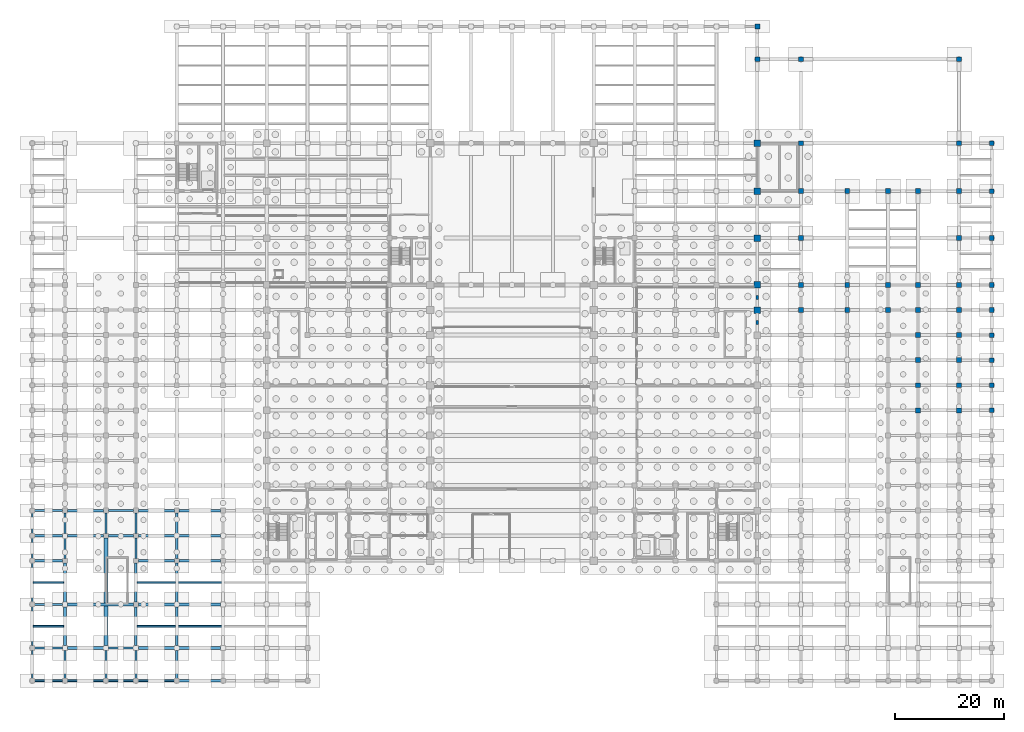
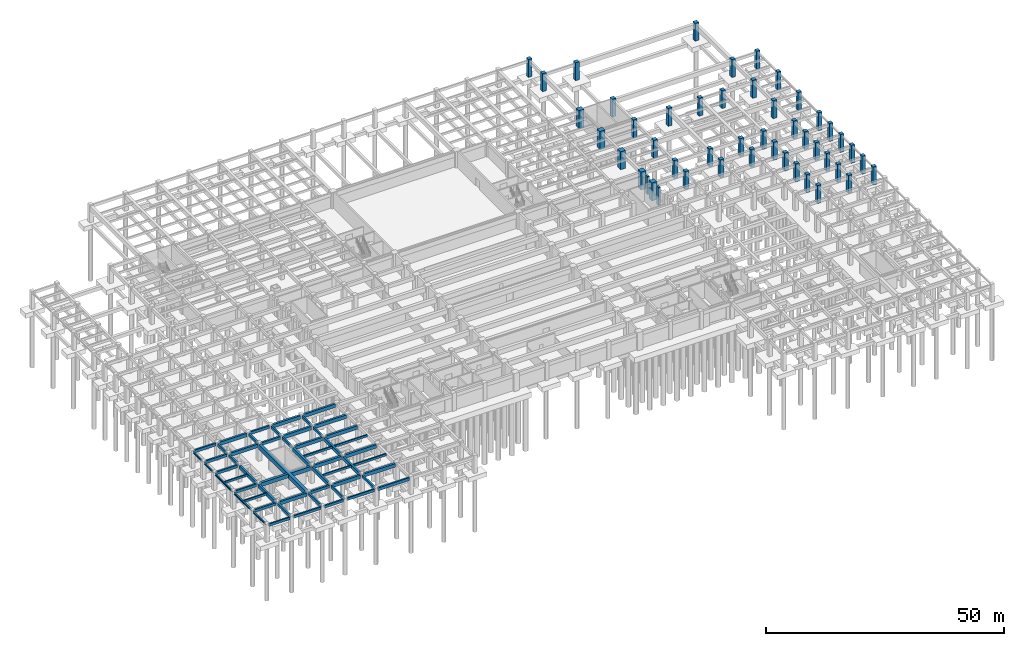
# One storey, part 12 of 32: 56 beams, 47 columns.
"""IFC4 building model written with IfcOpenShell, lengths in metres."""

from ifc_helpers import new_model, si_unit, direction, frame, origin, origin_2d, place, context, subcontext, project, spatial, rectangle, i_section, extrude, material, material_profile, profile_set, type_object, element, save


model = new_model("IFC4")

# Units and contexts
model_context = context("Model", 3, precision=1e-05, world=origin(), true_north=direction((0.0, 1.0)))
body_context = subcontext(model_context, "Body", "Model", "MODEL_VIEW")
ifc_project = project(units=[si_unit("LENGTHUNIT", "METRE"), si_unit("AREAUNIT", "SQUARE_METRE"), si_unit("VOLUMEUNIT", "CUBIC_METRE"), si_unit("PLANEANGLEUNIT", "RADIAN"), si_unit("MASSUNIT", "GRAM", prefix="KILO")], contexts=[model_context])

# Site, building, storey
site_placement = place(None, origin())
site = spatial("IfcSite", under=ifc_project, at=site_placement, CompositionType="ELEMENT")
building_placement = place(site_placement, origin())
building = spatial("IfcBuilding", under=site, at=building_placement, Name="Muzn Square Opera House", CompositionType="ELEMENT")
storey_placement = place(building_placement, frame((0.0, 0.0, -4.199951171875)))
storey = spatial("IfcBuildingStorey", under=building, at=storey_placement, Name="B1", CompositionType="ELEMENT", Elevation=-4.199951171875)

# Columns
ifc_material_1 = material(Name="Concrete C45/55", Category="concrete")
ifc_material_profile_1 = material_profile(ifc_material_1, rectangle(XDim=0.5, YDim=0.800048828125, at=origin_2d()), Name="RC 500x800", Category="concrete")
ifc_profile_set_1 = profile_set([ifc_material_profile_1], Name="Concrete C45/55")
column_type_1 = type_object("IfcColumnType", Name="Facade Pilaster 500x800", PredefinedType="PILASTER", material=ifc_profile_set_1)
for number, where, z_axis, x_axis, name in (
    (1, (133.0, 65.699951171875, -0.420166015625), (0.0, 0.0, 1.0), (1.0, 0.0, 0.0), "Engaged Pilaster PIL-B1-PIL-5080-1330_657"),
    (2, (133.0, 70.300048828125, -0.420166015625), (0.0, 0.0, 1.0), (1.0, 0.0, 0.0), "Engaged Pilaster PIL-B1-PIL-5080-1330_703"),
):
    element("IfcColumn", number, at=place(storey_placement, frame(where, z_axis=z_axis, x_axis=x_axis)), inside=storey, type_object=column_type_1, Name=name, PredefinedType="PILASTER", context=body_context, shape_type="SweptSolid", body=[
        extrude(rectangle(XDim=0.5, YDim=0.800048828125, at=origin_2d()), origin(), (0.0, 0.0, 1.0), 4.6201171875),
    ])
ifc_material_profile_2 = material_profile(ifc_material_1, rectangle(XDim=1.199951171875, YDim=1.199951171875, at=origin_2d()), Name="RC 1200x1200", Category="concrete")
ifc_profile_set_2 = profile_set([ifc_material_profile_2], Name="Concrete C45/55")
column_type_2 = type_object("IfcColumnType", Name="Frame Column 1200x1200", PredefinedType="COLUMN", material=ifc_profile_set_2)
for number, where, z_axis, x_axis, name in (
    (3, (133.0, 68.0, -0.420166015625), (0.0, 0.0, 1.0), (1.0, 0.0, 0.0), "Column COL-B1-COL-1200-1330_680"),
    (4, (133.0, 72.60009765625, -0.420166015625), (0.0, 0.0, 1.0), (1.0, 0.0, 0.0), "Column COL-B1-COL-1200-1330_726"),
    (5, (133.0, 81.199951171875, -0.420166015625), (0.0, 0.0, 1.0), (1.0, 0.0, 0.0), "Column COL-B1-COL-1200-1330_812"),
    (6, (133.0, 89.800048828125, -0.420166015625), (0.0, 0.0, 1.0), (1.0, 0.0, 0.0), "Column COL-B1-COL-1200-1330_898"),
    (7, (133.0, 98.60009765625, -0.420166015625), (0.0, 0.0, 1.0), (1.0, 0.0, 0.0), "Column COL-B1-COL-1200-1330_986"),
):
    element("IfcColumn", number, at=place(storey_placement, frame(where, z_axis=z_axis, x_axis=x_axis)), inside=storey, type_object=column_type_2, Name=name, PredefinedType="COLUMN", context=body_context, shape_type="SweptSolid", body=[
        extrude(rectangle(XDim=1.199951171875, YDim=1.199951171875, at=origin_2d()), origin(), (0.0, 0.0, 1.0), 4.6201171875),
    ])
ifc_material_profile_3 = material_profile(ifc_material_1, rectangle(XDim=0.85009765625, YDim=0.85009765625, at=origin_2d()), Name="RC 850x850", Category="concrete")
ifc_profile_set_3 = profile_set([ifc_material_profile_3], Name="Concrete C45/55")
column_type_3 = type_object("IfcColumnType", Name="Frame Column 850x850", PredefinedType="COLUMN", material=ifc_profile_set_3)
for number, where, z_axis, x_axis, name in (
    (8, (176.0, 49.60009765625, -0.420166015625), (0.0, 0.0, 1.0), (1.0, 0.0, 0.0), "Column COL-B1-COL-850-1760_496"),
    (9, (176.0, 54.199951171875, -0.420166015625), (0.0, 0.0, 1.0), (1.0, 0.0, 0.0), "Column COL-B1-COL-850-1760_542"),
    (10, (176.0, 58.800048828125, -0.420166015625), (0.0, 0.0, 1.0), (1.0, 0.0, 0.0), "Column COL-B1-COL-850-1760_588"),
    (11, (176.0, 63.39990234375, -0.420166015625), (0.0, 0.0, 1.0), (1.0, 0.0, 0.0), "Column COL-B1-COL-850-1760_634"),
    (12, (176.0, 68.0, -0.420166015625), (0.0, 0.0, 1.0), (1.0, 0.0, 0.0), "Column COL-B1-COL-850-1760_680"),
    (13, (176.0, 72.60009765625, -0.420166015625), (0.0, 0.0, 1.0), (1.0, 0.0, 0.0), "Column COL-B1-COL-850-1760_726"),
    (14, (176.0, 81.199951171875, -0.420166015625), (0.0, 0.0, 1.0), (1.0, 0.0, 0.0), "Column COL-B1-COL-850-1760_812"),
    (15, (176.0, 89.800048828125, -0.420166015625), (0.0, 0.0, 1.0), (1.0, 0.0, 0.0), "Column COL-B1-COL-850-1760_898"),
    (16, (176.0, 98.60009765625, -0.420166015625), (0.0, 0.0, 1.0), (1.0, 0.0, 0.0), "Column COL-B1-COL-850-1760_986"),
):
    element("IfcColumn", number, at=place(storey_placement, frame(where, z_axis=z_axis, x_axis=x_axis)), inside=storey, type_object=column_type_3, Name=name, PredefinedType="COLUMN", context=body_context, shape_type="SweptSolid", body=[
        extrude(rectangle(XDim=0.85009765625, YDim=0.85009765625, at=origin_2d()), origin(), (0.0, 0.0, 1.0), 4.6201171875),
    ])
ifc_material_profile_4 = material_profile(ifc_material_1, rectangle(XDim=0.89990234375, YDim=0.89990234375, at=origin_2d()), Name="RC 900x900", Category="concrete")
ifc_profile_set_4 = profile_set([ifc_material_profile_4], Name="Concrete C45/55")
column_type_4 = type_object("IfcColumnType", Name="Frame Column 900x900", PredefinedType="COLUMN", material=ifc_profile_set_4)
for number, where, z_axis, x_axis, name in (
    (17, (133.0, 120.0, -0.420166015625), (0.0, 0.0, 1.0), (1.0, 0.0, 0.0), "Column COL-B1-COL-900-1330_1200"),
    (18, (141.0, 68.0, -0.420166015625), (0.0, 0.0, 1.0), (1.0, 0.0, 0.0), "Column COL-B1-COL-900-1410_680"),
    (19, (141.0, 72.60009765625, -0.420166015625), (0.0, 0.0, 1.0), (1.0, 0.0, 0.0), "Column COL-B1-COL-900-1410_726"),
    (20, (141.0, 81.199951171875, -0.420166015625), (0.0, 0.0, 1.0), (1.0, 0.0, 0.0), "Column COL-B1-COL-900-1410_812"),
    (21, (141.0, 89.800048828125, -0.420166015625), (0.0, 0.0, 1.0), (1.0, 0.0, 0.0), "Column COL-B1-COL-900-1410_898"),
    (22, (141.0, 98.60009765625, -0.420166015625), (0.0, 0.0, 1.0), (1.0, 0.0, 0.0), "Column COL-B1-COL-900-1410_986"),
    (23, (149.5, 68.0, -0.420166015625), (0.0, 0.0, 1.0), (1.0, 0.0, 0.0), "Column COL-B1-COL-900-1495_680"),
    (24, (149.5, 72.60009765625, -0.420166015625), (0.0, 0.0, 1.0), (1.0, 0.0, 0.0), "Column COL-B1-COL-900-1495_726"),
    (25, (149.5, 89.800048828125, -0.420166015625), (0.0, 0.0, 1.0), (1.0, 0.0, 0.0), "Column COL-B1-COL-900-1495_898"),
    (26, (157.0, 68.0, -0.420166015625), (0.0, 0.0, 1.0), (1.0, 0.0, 0.0), "Column COL-B1-COL-900-1570_680"),
    (27, (157.0, 72.60009765625, -0.420166015625), (0.0, 0.0, 1.0), (1.0, 0.0, 0.0), "Column COL-B1-COL-900-1570_726"),
    (28, (157.0, 89.800048828125, -0.420166015625), (0.0, 0.0, 1.0), (1.0, 0.0, 0.0), "Column COL-B1-COL-900-1570_898"),
    (29, (162.5, 49.60009765625, -0.420166015625), (0.0, 0.0, 1.0), (1.0, 0.0, 0.0), "Column COL-B1-COL-900-1625_496"),
    (30, (162.5, 54.199951171875, -0.420166015625), (0.0, 0.0, 1.0), (1.0, 0.0, 0.0), "Column COL-B1-COL-900-1625_542"),
    (31, (162.5, 58.800048828125, -0.420166015625), (0.0, 0.0, 1.0), (1.0, 0.0, 0.0), "Column COL-B1-COL-900-1625_588"),
    (32, (162.5, 63.39990234375, -0.420166015625), (0.0, 0.0, 1.0), (1.0, 0.0, 0.0), "Column COL-B1-COL-900-1625_634"),
    (33, (162.5, 68.0, -0.420166015625), (0.0, 0.0, 1.0), (1.0, 0.0, 0.0), "Column COL-B1-COL-900-1625_680"),
    (34, (162.5, 72.60009765625, -0.420166015625), (0.0, 0.0, 1.0), (1.0, 0.0, 0.0), "Column COL-B1-COL-900-1625_726"),
    (35, (162.5, 89.800048828125, -0.420166015625), (0.0, 0.0, 1.0), (1.0, 0.0, 0.0), "Column COL-B1-COL-900-1625_898"),
    (36, (170.0, 49.60009765625, -0.420166015625), (0.0, 0.0, 1.0), (1.0, 0.0, 0.0), "Column COL-B1-COL-900-1700_496"),
    (37, (170.0, 54.199951171875, -0.420166015625), (0.0, 0.0, 1.0), (1.0, 0.0, 0.0), "Column COL-B1-COL-900-1700_542"),
    (38, (170.0, 58.800048828125, -0.420166015625), (0.0, 0.0, 1.0), (1.0, 0.0, 0.0), "Column COL-B1-COL-900-1700_588"),
    (39, (170.0, 63.39990234375, -0.420166015625), (0.0, 0.0, 1.0), (1.0, 0.0, 0.0), "Column COL-B1-COL-900-1700_634"),
    (40, (170.0, 68.0, -0.420166015625), (0.0, 0.0, 1.0), (1.0, 0.0, 0.0), "Column COL-B1-COL-900-1700_680"),
    (41, (170.0, 72.60009765625, -0.420166015625), (0.0, 0.0, 1.0), (1.0, 0.0, 0.0), "Column COL-B1-COL-900-1700_726"),
    (42, (170.0, 81.199951171875, -0.420166015625), (0.0, 0.0, 1.0), (1.0, 0.0, 0.0), "Column COL-B1-COL-900-1700_812"),
    (43, (170.0, 89.800048828125, -0.420166015625), (0.0, 0.0, 1.0), (1.0, 0.0, 0.0), "Column COL-B1-COL-900-1700_898"),
    (44, (170.0, 98.60009765625, -0.420166015625), (0.0, 0.0, 1.0), (1.0, 0.0, 0.0), "Column COL-B1-COL-900-1700_986"),
    (45, (133.0, 114.0, -0.420166015625), (0.0, 0.0, 1.0), (1.0, 0.0, 0.0), "Column COL-N114-B1-001"),
    (46, (141.0, 114.0, -0.420166015625), (0.0, 0.0, 1.0), (1.0, 0.0, 0.0), "Column COL-N114-B1-002"),
    (47, (170.0, 114.0, -0.420166015625), (0.0, 0.0, 1.0), (1.0, 0.0, 0.0), "Column COL-N114-B1-003"),
):
    element("IfcColumn", number, at=place(storey_placement, frame(where, z_axis=z_axis, x_axis=x_axis)), inside=storey, type_object=column_type_4, Name=name, PredefinedType="COLUMN", context=body_context, shape_type="SweptSolid", body=[
        extrude(rectangle(XDim=0.89990234375, YDim=0.89990234375, at=origin_2d()), origin(), (0.0, 0.0, 1.0), 4.6201171875),
    ])

# Beams
ifc_material_2 = material(Name="Concrete C40/50", Category="concrete")
ifc_material_profile_5 = material_profile(ifc_material_2, rectangle(XDim=0.300048828125, YDim=0.550048828125, at=origin_2d()), Name="RCJ 300x550", Category="concrete")
ifc_profile_set_5 = profile_set([ifc_material_profile_5], Name="Concrete C40/50")
beam_type_1 = type_object("IfcBeamType", Name="Floor Joist 300x550", PredefinedType="JOIST", material=ifc_profile_set_5)
for number, where, z_axis, x_axis, name in (
    (48, (0.14208984375, 10.0, 3.6650390625), (1.0, 0.0, 0.0), (0.0, 1.0, 0.0), "Floor Joist BM-B1-BM-J550-1_100_58_100-579"),
    (49, (0.14208984375, 18.0, 3.6650390625), (1.0, 0.0, 0.0), (0.0, 1.0, 0.0), "Floor Joist BM-B1-BM-J550-1_180_58_180-580"),
):
    element("IfcBeam", number, at=place(storey_placement, frame(where, z_axis=z_axis, x_axis=x_axis)), inside=storey, type_object=beam_type_1, Name=name, PredefinedType="JOIST", context=body_context, shape_type="SweptSolid", body=[
        extrude(rectangle(XDim=0.300048828125, YDim=0.550048828125, at=origin_2d()), origin(), (0.0, 0.0, 1.0), 5.615966796875),
    ])
for number, where, z_axis, x_axis, name in (
    (50, (19.241943359375, 10.0, 3.60498046875), (1.0, 0.0, 0.0), (0.0, 1.0, 0.0), "Floor Joist BM-B1-BM-J550-192_100_263_100-587"),
    (51, (19.241943359375, 18.0, 3.60498046875), (1.0, 0.0, 0.0), (0.0, 1.0, 0.0), "Floor Joist BM-B1-BM-J550-192_180_263_180-588"),
):
    element("IfcBeam", number, at=place(storey_placement, frame(where, z_axis=z_axis, x_axis=x_axis)), inside=storey, type_object=beam_type_1, Name=name, PredefinedType="JOIST", context=body_context, shape_type="SweptSolid", body=[
        extrude(rectangle(XDim=0.300048828125, YDim=0.550048828125, at=origin_2d()), origin(), (0.0, 0.0, 1.0), 7.01611328125),
    ])
for number, where, z_axis, x_axis, name in (
    (52, (26.741943359375, 10.0, 3.60498046875), (1.0, 0.0, 0.0), (0.0, 1.0, 0.0), "Floor Joist BM-B1-BM-J550-267_100_348_100-595"),
    (53, (26.741943359375, 18.0, 3.60498046875), (1.0, 0.0, 0.0), (0.0, 1.0, 0.0), "Floor Joist BM-B1-BM-J550-267_180_348_180-596"),
):
    element("IfcBeam", number, at=place(storey_placement, frame(where, z_axis=z_axis, x_axis=x_axis)), inside=storey, type_object=beam_type_1, Name=name, PredefinedType="JOIST", context=body_context, shape_type="SweptSolid", body=[
        extrude(rectangle(XDim=0.300048828125, YDim=0.550048828125, at=origin_2d()), origin(), (0.0, 0.0, 1.0), 8.01611328125),
    ])
ifc_material_profile_6 = material_profile(ifc_material_2, rectangle(XDim=0.39990234375, YDim=0.699951171875, at=origin_2d()), Name="RCB 400x700", Category="concrete")
ifc_profile_set_6 = profile_set([ifc_material_profile_6], Name="Concrete C40/50")
beam_type_2 = type_object("IfcBeamType", Name="Primary Girder 400x700", PredefinedType="BEAM", material=ifc_profile_set_6)
beam_1_placement = place(storey_placement, frame((0.4169921875, 6.0, 3.58984375), z_axis=(1.0, 0.0, 0.0), x_axis=(0.0, 1.0, 0.0)))
element("IfcBeam", 54, at=beam_1_placement, inside=storey, type_object=beam_type_2, Name="Primary Girder BM-B1-BM-PG700-4_60_56_60-15", PredefinedType="BEAM", context=body_context, shape_type="SweptSolid", body=[
    extrude(rectangle(XDim=0.39990234375, YDim=0.699951171875, at=origin_2d()), origin(), (0.0, 0.0, 1.0), 5.14111328125),
])
beam_2_placement = place(storey_placement, frame((13.94189453125, 6.0, 3.530029296875), z_axis=(1.0, 0.0, 0.0), x_axis=(0.0, 1.0, 0.0)))
element("IfcBeam", 55, at=beam_2_placement, inside=storey, type_object=beam_type_2, Name="Primary Girder BM-B1-BM-PG700-139_60_186_60-17", PredefinedType="BEAM", context=body_context, shape_type="SweptSolid", body=[
    extrude(rectangle(XDim=0.39990234375, YDim=0.699951171875, at=origin_2d()), origin(), (0.0, 0.0, 1.0), 4.6162109375),
])
for number, where, z_axis, x_axis, name in (
    (56, (0.4169921875, 14.0, 3.58984375), (1.0, 0.0, 0.0), (0.0, 1.0, 0.0), "Primary Girder BM-B1-BM-PG700-4_140_56_140-29"),
    (57, (0.4169921875, 22.0, 3.58984375), (1.0, 0.0, 0.0), (0.0, 1.0, 0.0), "Primary Girder BM-B1-BM-PG700-4_220_56_220-41"),
    (58, (0.4169921875, 26.60009765625, 3.58984375), (1.0, 0.0, 0.0), (0.0, 1.0, 0.0), "Primary Girder BM-B1-BM-PG700-4_266_56_266-61"),
):
    element("IfcBeam", number, at=place(storey_placement, frame(where, z_axis=z_axis, x_axis=x_axis)), inside=storey, type_object=beam_type_2, Name=name, PredefinedType="BEAM", context=body_context, shape_type="SweptSolid", body=[
        extrude(rectangle(XDim=0.39990234375, YDim=0.699951171875, at=origin_2d()), origin(), (0.0, 0.0, 1.0), 5.14111328125),
    ])
beam_3_placement = place(storey_placement, frame((13.94189453125, 26.60009765625, 3.530029296875), z_axis=(1.0, 0.0, 0.0), x_axis=(0.0, 1.0, 0.0)))
element("IfcBeam", 59, at=beam_3_placement, inside=storey, type_object=beam_type_2, Name="Primary Girder BM-B1-BM-PG700-139_266_186_266-63", PredefinedType="BEAM", context=body_context, shape_type="SweptSolid", body=[
    extrude(rectangle(XDim=0.39990234375, YDim=0.699951171875, at=origin_2d()), origin(), (0.0, 0.0, 1.0), 4.6162109375),
])
beam_4_placement = place(storey_placement, frame((0.4169921875, 31.199951171875, 3.58984375), z_axis=(1.0, 0.0, 0.0), x_axis=(0.0, 1.0, 0.0)))
element("IfcBeam", 60, at=beam_4_placement, inside=storey, type_object=beam_type_2, Name="Primary Girder BM-B1-BM-PG700-4_312_56_312-78", PredefinedType="BEAM", context=body_context, shape_type="SweptSolid", body=[
    extrude(rectangle(XDim=0.39990234375, YDim=0.699951171875, at=origin_2d()), origin(), (0.0, 0.0, 1.0), 5.14111328125),
])
beam_5_placement = place(storey_placement, frame((13.94189453125, 31.199951171875, 3.530029296875), z_axis=(1.0, 0.0, 0.0), x_axis=(0.0, 1.0, 0.0)))
element("IfcBeam", 61, at=beam_5_placement, inside=storey, type_object=beam_type_2, Name="Primary Girder BM-B1-BM-PG700-139_312_186_312-80", PredefinedType="BEAM", context=body_context, shape_type="SweptSolid", body=[
    extrude(rectangle(XDim=0.39990234375, YDim=0.699951171875, at=origin_2d()), origin(), (0.0, 0.0, 1.0), 4.6162109375),
])
beam_6_placement = place(storey_placement, frame((6.0, 0.4169921875, 3.58984375), z_axis=(0.0, 1.0, 0.0), x_axis=(-1.0, 0.0, 0.0)))
element("IfcBeam", 62, at=beam_6_placement, inside=storey, type_object=beam_type_2, Name="Primary Girder BM-B1-BM-PG700-60_4_60_56-305", PredefinedType="BEAM", context=body_context, shape_type="SweptSolid", body=[
    extrude(rectangle(XDim=0.39990234375, YDim=0.699951171875, at=origin_2d()), origin(), (0.0, 0.0, 1.0), 5.14111328125),
])
for number, where, z_axis, x_axis, name in (
    (63, (6.0, 22.44189453125, 3.530029296875), (0.0, 1.0, 0.0), (-1.0, 0.0, 0.0), "Primary Girder BM-B1-BM-PG700-60_224_60_262-308"),
    (64, (6.0, 27.0419921875, 3.530029296875), (0.0, 1.0, 0.0), (-1.0, 0.0, 0.0), "Primary Girder BM-B1-BM-PG700-60_270_60_308-309"),
):
    element("IfcBeam", number, at=place(storey_placement, frame(where, z_axis=z_axis, x_axis=x_axis)), inside=storey, type_object=beam_type_2, Name=name, PredefinedType="BEAM", context=body_context, shape_type="SweptSolid", body=[
        extrude(rectangle(XDim=0.39990234375, YDim=0.699951171875, at=origin_2d()), origin(), (0.0, 0.0, 1.0), 3.716064453125),
    ])
beam_7_placement = place(storey_placement, frame((13.5, 0.4169921875, 3.58984375), z_axis=(0.0, 1.0, 0.0), x_axis=(-1.0, 0.0, 0.0)))
element("IfcBeam", 65, at=beam_7_placement, inside=storey, type_object=beam_type_2, Name="Primary Girder BM-B1-BM-PG700-135_4_135_56-322", PredefinedType="BEAM", context=body_context, shape_type="SweptSolid", body=[
    extrude(rectangle(XDim=0.39990234375, YDim=0.699951171875, at=origin_2d()), origin(), (0.0, 0.0, 1.0), 5.14111328125),
])
beam_8_placement = place(storey_placement, frame((13.5, 27.0419921875, 3.530029296875), z_axis=(0.0, 1.0, 0.0), x_axis=(-1.0, 0.0, 0.0)))
element("IfcBeam", 66, at=beam_8_placement, inside=storey, type_object=beam_type_2, Name="Primary Girder BM-B1-BM-PG700-135_270_135_308-324", PredefinedType="BEAM", context=body_context, shape_type="SweptSolid", body=[
    extrude(rectangle(XDim=0.39990234375, YDim=0.699951171875, at=origin_2d()), origin(), (0.0, 0.0, 1.0), 3.716064453125),
])
beam_9_placement = place(storey_placement, frame((19.0, 0.4169921875, 3.58984375), z_axis=(0.0, 1.0, 0.0), x_axis=(-1.0, 0.0, 0.0)))
element("IfcBeam", 67, at=beam_9_placement, inside=storey, type_object=beam_type_2, Name="Primary Girder BM-B1-BM-PG700-190_4_190_56-333", PredefinedType="BEAM", context=body_context, shape_type="SweptSolid", body=[
    extrude(rectangle(XDim=0.39990234375, YDim=0.699951171875, at=origin_2d()), origin(), (0.0, 0.0, 1.0), 5.14111328125),
])
for number, where, z_axis, x_axis, name in (
    (68, (19.0, 22.44189453125, 3.530029296875), (0.0, 1.0, 0.0), (-1.0, 0.0, 0.0), "Primary Girder BM-B1-BM-PG700-190_224_190_262-336"),
    (69, (19.0, 27.0419921875, 3.530029296875), (0.0, 1.0, 0.0), (-1.0, 0.0, 0.0), "Primary Girder BM-B1-BM-PG700-190_270_190_308-337"),
):
    element("IfcBeam", number, at=place(storey_placement, frame(where, z_axis=z_axis, x_axis=x_axis)), inside=storey, type_object=beam_type_2, Name=name, PredefinedType="BEAM", context=body_context, shape_type="SweptSolid", body=[
        extrude(rectangle(XDim=0.39990234375, YDim=0.699951171875, at=origin_2d()), origin(), (0.0, 0.0, 1.0), 3.716064453125),
    ])
beam_10_placement = place(storey_placement, frame((26.5, 0.4169921875, 3.58984375), z_axis=(0.0, 1.0, 0.0), x_axis=(-1.0, 0.0, 0.0)))
element("IfcBeam", 70, at=beam_10_placement, inside=storey, type_object=beam_type_2, Name="Primary Girder BM-B1-BM-PG700-265_4_265_56-350", PredefinedType="BEAM", context=body_context, shape_type="SweptSolid", body=[
    extrude(rectangle(XDim=0.39990234375, YDim=0.699951171875, at=origin_2d()), origin(), (0.0, 0.0, 1.0), 5.14111328125),
])
for number, where, z_axis, x_axis, name in (
    (71, (26.5, 22.44189453125, 3.530029296875), (0.0, 1.0, 0.0), (-1.0, 0.0, 0.0), "Primary Girder BM-B1-BM-PG700-265_224_265_262-353"),
    (72, (26.5, 27.0419921875, 3.530029296875), (0.0, 1.0, 0.0), (-1.0, 0.0, 0.0), "Primary Girder BM-B1-BM-PG700-265_270_265_308-354"),
):
    element("IfcBeam", number, at=place(storey_placement, frame(where, z_axis=z_axis, x_axis=x_axis)), inside=storey, type_object=beam_type_2, Name=name, PredefinedType="BEAM", context=body_context, shape_type="SweptSolid", body=[
        extrude(rectangle(XDim=0.39990234375, YDim=0.699951171875, at=origin_2d()), origin(), (0.0, 0.0, 1.0), 3.716064453125),
    ])
ifc_material_profile_7 = material_profile(ifc_material_2, rectangle(XDim=0.5, YDim=0.89990234375, at=origin_2d()), Name="RCB 500x900", Category="concrete")
ifc_profile_set_7 = profile_set([ifc_material_profile_7], Name="Concrete C40/50")
beam_type_3 = type_object("IfcBeamType", Name="Primary Girder 500x900", PredefinedType="BEAM", material=ifc_profile_set_7)
for number, where, z_axis, x_axis, name in (
    (73, (6.44189453125, 6.0, 3.429931640625), (1.0, 0.0, 0.0), (0.0, 1.0, 0.0), "Primary Girder BM-B1-BM-PG900-64_60_131_60-16"),
    (74, (19.44189453125, 6.0, 3.429931640625), (1.0, 0.0, 0.0), (0.0, 1.0, 0.0), "Primary Girder BM-B1-BM-PG900-194_60_261_60-18"),
):
    element("IfcBeam", number, at=place(storey_placement, frame(where, z_axis=z_axis, x_axis=x_axis)), inside=storey, type_object=beam_type_3, Name=name, PredefinedType="BEAM", context=body_context, shape_type="SweptSolid", body=[
        extrude(rectangle(XDim=0.5, YDim=0.89990234375, at=origin_2d()), origin(), (0.0, 0.0, 1.0), 6.6162109375),
    ])
beam_11_placement = place(storey_placement, frame((26.94189453125, 6.0, 3.429931640625), z_axis=(1.0, 0.0, 0.0), x_axis=(0.0, 1.0, 0.0)))
element("IfcBeam", 75, at=beam_11_placement, inside=storey, type_object=beam_type_3, Name="Primary Girder BM-B1-BM-PG900-269_60_346_60-19", PredefinedType="BEAM", context=body_context, shape_type="SweptSolid", body=[
    extrude(rectangle(XDim=0.5, YDim=0.89990234375, at=origin_2d()), origin(), (0.0, 0.0, 1.0), 7.6162109375),
])
beam_12_placement = place(storey_placement, frame((19.44189453125, 14.0, 3.429931640625), z_axis=(1.0, 0.0, 0.0), x_axis=(0.0, 1.0, 0.0)))
element("IfcBeam", 76, at=beam_12_placement, inside=storey, type_object=beam_type_3, Name="Primary Girder BM-B1-BM-PG900-194_140_261_140-31", PredefinedType="BEAM", context=body_context, shape_type="SweptSolid", body=[
    extrude(rectangle(XDim=0.5, YDim=0.89990234375, at=origin_2d()), origin(), (0.0, 0.0, 1.0), 6.6162109375),
])
beam_13_placement = place(storey_placement, frame((26.94189453125, 14.0, 3.429931640625), z_axis=(1.0, 0.0, 0.0), x_axis=(0.0, 1.0, 0.0)))
element("IfcBeam", 77, at=beam_13_placement, inside=storey, type_object=beam_type_3, Name="Primary Girder BM-B1-BM-PG900-269_140_346_140-32", PredefinedType="BEAM", context=body_context, shape_type="SweptSolid", body=[
    extrude(rectangle(XDim=0.5, YDim=0.89990234375, at=origin_2d()), origin(), (0.0, 0.0, 1.0), 7.6162109375),
])
beam_14_placement = place(storey_placement, frame((19.44189453125, 22.0, 3.429931640625), z_axis=(1.0, 0.0, 0.0), x_axis=(0.0, 1.0, 0.0)))
element("IfcBeam", 78, at=beam_14_placement, inside=storey, type_object=beam_type_3, Name="Primary Girder BM-B1-BM-PG900-194_220_261_220-42", PredefinedType="BEAM", context=body_context, shape_type="SweptSolid", body=[
    extrude(rectangle(XDim=0.5, YDim=0.89990234375, at=origin_2d()), origin(), (0.0, 0.0, 1.0), 6.6162109375),
])
beam_15_placement = place(storey_placement, frame((26.94189453125, 22.0, 3.429931640625), z_axis=(1.0, 0.0, 0.0), x_axis=(0.0, 1.0, 0.0)))
element("IfcBeam", 79, at=beam_15_placement, inside=storey, type_object=beam_type_3, Name="Primary Girder BM-B1-BM-PG900-269_220_346_220-43", PredefinedType="BEAM", context=body_context, shape_type="SweptSolid", body=[
    extrude(rectangle(XDim=0.5, YDim=0.89990234375, at=origin_2d()), origin(), (0.0, 0.0, 1.0), 7.6162109375),
])
for number, where, z_axis, x_axis, name in (
    (80, (6.44189453125, 26.60009765625, 3.429931640625), (1.0, 0.0, 0.0), (0.0, 1.0, 0.0), "Primary Girder BM-B1-BM-PG900-64_266_131_266-62"),
    (81, (19.44189453125, 26.60009765625, 3.429931640625), (1.0, 0.0, 0.0), (0.0, 1.0, 0.0), "Primary Girder BM-B1-BM-PG900-194_266_261_266-64"),
):
    element("IfcBeam", number, at=place(storey_placement, frame(where, z_axis=z_axis, x_axis=x_axis)), inside=storey, type_object=beam_type_3, Name=name, PredefinedType="BEAM", context=body_context, shape_type="SweptSolid", body=[
        extrude(rectangle(XDim=0.5, YDim=0.89990234375, at=origin_2d()), origin(), (0.0, 0.0, 1.0), 6.6162109375),
    ])
beam_16_placement = place(storey_placement, frame((26.94189453125, 26.60009765625, 3.429931640625), z_axis=(1.0, 0.0, 0.0), x_axis=(0.0, 1.0, 0.0)))
element("IfcBeam", 82, at=beam_16_placement, inside=storey, type_object=beam_type_3, Name="Primary Girder BM-B1-BM-PG900-269_266_346_266-65", PredefinedType="BEAM", context=body_context, shape_type="SweptSolid", body=[
    extrude(rectangle(XDim=0.5, YDim=0.89990234375, at=origin_2d()), origin(), (0.0, 0.0, 1.0), 7.6162109375),
])
for number, where, z_axis, x_axis, name in (
    (83, (6.44189453125, 31.199951171875, 3.429931640625), (1.0, 0.0, 0.0), (0.0, 1.0, 0.0), "Primary Girder BM-B1-BM-PG900-64_312_131_312-79"),
    (84, (19.44189453125, 31.199951171875, 3.429931640625), (1.0, 0.0, 0.0), (0.0, 1.0, 0.0), "Primary Girder BM-B1-BM-PG900-194_312_261_312-81"),
):
    element("IfcBeam", number, at=place(storey_placement, frame(where, z_axis=z_axis, x_axis=x_axis)), inside=storey, type_object=beam_type_3, Name=name, PredefinedType="BEAM", context=body_context, shape_type="SweptSolid", body=[
        extrude(rectangle(XDim=0.5, YDim=0.89990234375, at=origin_2d()), origin(), (0.0, 0.0, 1.0), 6.6162109375),
    ])
beam_17_placement = place(storey_placement, frame((26.94189453125, 31.199951171875, 3.429931640625), z_axis=(1.0, 0.0, 0.0), x_axis=(0.0, 1.0, 0.0)))
element("IfcBeam", 85, at=beam_17_placement, inside=storey, type_object=beam_type_3, Name="Primary Girder BM-B1-BM-PG900-269_312_346_312-82", PredefinedType="BEAM", context=body_context, shape_type="SweptSolid", body=[
    extrude(rectangle(XDim=0.5, YDim=0.89990234375, at=origin_2d()), origin(), (0.0, 0.0, 1.0), 7.6162109375),
])
for number, where, z_axis, x_axis, name in (
    (86, (6.0, 6.44189453125, 3.429931640625), (0.0, 1.0, 0.0), (-1.0, 0.0, 0.0), "Primary Girder BM-B1-BM-PG900-60_64_60_136-306"),
    (87, (6.0, 14.44189453125, 3.429931640625), (0.0, 1.0, 0.0), (-1.0, 0.0, 0.0), "Primary Girder BM-B1-BM-PG900-60_144_60_216-307"),
    (88, (19.0, 6.44189453125, 3.429931640625), (0.0, 1.0, 0.0), (-1.0, 0.0, 0.0), "Primary Girder BM-B1-BM-PG900-190_64_190_136-334"),
    (89, (19.0, 14.44189453125, 3.429931640625), (0.0, 1.0, 0.0), (-1.0, 0.0, 0.0), "Primary Girder BM-B1-BM-PG900-190_144_190_216-335"),
    (90, (26.5, 6.44189453125, 3.429931640625), (0.0, 1.0, 0.0), (-1.0, 0.0, 0.0), "Primary Girder BM-B1-BM-PG900-265_64_265_136-351"),
    (91, (26.5, 14.44189453125, 3.429931640625), (0.0, 1.0, 0.0), (-1.0, 0.0, 0.0), "Primary Girder BM-B1-BM-PG900-265_144_265_216-352"),
):
    element("IfcBeam", number, at=place(storey_placement, frame(where, z_axis=z_axis, x_axis=x_axis)), inside=storey, type_object=beam_type_3, Name=name, PredefinedType="BEAM", context=body_context, shape_type="SweptSolid", body=[
        extrude(rectangle(XDim=0.5, YDim=0.89990234375, at=origin_2d()), origin(), (0.0, 0.0, 1.0), 7.1162109375),
    ])
ifc_material_profile_8 = material_profile(ifc_material_2, rectangle(XDim=0.60009765625, YDim=1.0, at=origin_2d()), Name="RCB 600x1000", Category="concrete")
ifc_profile_set_8 = profile_set([ifc_material_profile_8], Name="Concrete C40/50")
beam_type_4 = type_object("IfcBeamType", Name="Primary Girder 600x1000", PredefinedType="BEAM", material=ifc_profile_set_8)
beam_18_placement = place(storey_placement, frame((6.44189453125, 14.0, 3.3798828125), z_axis=(1.0, 0.0, 0.0), x_axis=(0.0, 1.0, 0.0)))
element("IfcBeam", 92, at=beam_18_placement, inside=storey, type_object=beam_type_4, Name="Primary Girder BM-B1-BM-PG1000-64_140_186_140-30", PredefinedType="BEAM", context=body_context, shape_type="SweptSolid", body=[
    extrude(rectangle(XDim=0.60009765625, YDim=1.0, at=origin_2d()), origin(), (0.0, 0.0, 1.0), 12.1162109375),
])
ifc_material_profile_9 = material_profile(ifc_material_2, rectangle(XDim=0.699951171875, YDim=1.199951171875, at=origin_2d()), Name="RCB 700x1200", Category="concrete")
ifc_profile_set_9 = profile_set([ifc_material_profile_9], Name="Concrete C40/50")
beam_type_5 = type_object("IfcBeamType", Name="Primary Girder 700x1200", PredefinedType="BEAM", material=ifc_profile_set_9)
beam_19_placement = place(storey_placement, frame((13.5, 6.44189453125, 3.280029296875), z_axis=(0.0, 1.0, 0.0), x_axis=(-1.0, 0.0, 0.0)))
element("IfcBeam", 93, at=beam_19_placement, inside=storey, type_object=beam_type_5, Name="Primary Girder BM-B1-BM-PG1200-135_64_135_262-323", PredefinedType="BEAM", context=body_context, shape_type="SweptSolid", body=[
    extrude(rectangle(XDim=0.699951171875, YDim=1.199951171875, at=origin_2d()), origin(), (0.0, 0.0, 1.0), 19.716064453125),
])
ifc_material_profile_10 = material_profile(ifc_material_2, rectangle(XDim=0.35009765625, YDim=0.64990234375, at=origin_2d()), Name="RCS 350x650", Category="concrete")
ifc_profile_set_10 = profile_set([ifc_material_profile_10], Name="Concrete C40/50")
beam_type_6 = type_object("IfcBeamType", Name="Spandrel Beam 350x650", PredefinedType="SPANDREL", material=ifc_profile_set_10)
beam_20_placement = place(storey_placement, frame((0.4169921875, 0.0, 3.554931640625), z_axis=(1.0, 0.0, 0.0), x_axis=(0.0, 1.0, 0.0)))
element("IfcBeam", 94, at=beam_20_placement, inside=storey, type_object=beam_type_6, Name="Spandrel Beam BM-B1-BM-SP650-4_0_56_0-1", PredefinedType="SPANDREL", context=body_context, shape_type="SweptSolid", body=[
    extrude(rectangle(XDim=0.35009765625, YDim=0.64990234375, at=origin_2d()), origin(), (0.0, 0.0, 1.0), 5.166015625),
])
beam_21_placement = place(storey_placement, frame((6.4169921875, 0.0, 3.554931640625), z_axis=(1.0, 0.0, 0.0), x_axis=(0.0, 1.0, 0.0)))
element("IfcBeam", 95, at=beam_21_placement, inside=storey, type_object=beam_type_6, Name="Spandrel Beam BM-B1-BM-SP650-64_0_131_0-2", PredefinedType="SPANDREL", context=body_context, shape_type="SweptSolid", body=[
    extrude(rectangle(XDim=0.35009765625, YDim=0.64990234375, at=origin_2d()), origin(), (0.0, 0.0, 1.0), 6.666015625),
])
beam_22_placement = place(storey_placement, frame((13.9169921875, 0.0, 3.554931640625), z_axis=(1.0, 0.0, 0.0), x_axis=(0.0, 1.0, 0.0)))
element("IfcBeam", 96, at=beam_22_placement, inside=storey, type_object=beam_type_6, Name="Spandrel Beam BM-B1-BM-SP650-139_0_186_0-3", PredefinedType="SPANDREL", context=body_context, shape_type="SweptSolid", body=[
    extrude(rectangle(XDim=0.35009765625, YDim=0.64990234375, at=origin_2d()), origin(), (0.0, 0.0, 1.0), 4.666015625),
])
beam_23_placement = place(storey_placement, frame((19.4169921875, 0.0, 3.554931640625), z_axis=(1.0, 0.0, 0.0), x_axis=(0.0, 1.0, 0.0)))
element("IfcBeam", 97, at=beam_23_placement, inside=storey, type_object=beam_type_6, Name="Spandrel Beam BM-B1-BM-SP650-194_0_261_0-4", PredefinedType="SPANDREL", context=body_context, shape_type="SweptSolid", body=[
    extrude(rectangle(XDim=0.35009765625, YDim=0.64990234375, at=origin_2d()), origin(), (0.0, 0.0, 1.0), 6.666015625),
])
ifc_material_profile_11 = material_profile(ifc_material_2, rectangle(XDim=0.39990234375, YDim=0.75, at=origin_2d()), Name="RCS 400x750", Category="concrete")
ifc_profile_set_11 = profile_set([ifc_material_profile_11], Name="Concrete C40/50")
beam_type_7 = type_object("IfcBeamType", Name="Spandrel Beam 400x750", PredefinedType="SPANDREL", material=ifc_profile_set_11)
beam_24_placement = place(storey_placement, frame((26.9169921875, 0.0, 3.5048828125), z_axis=(1.0, 0.0, 0.0), x_axis=(0.0, 1.0, 0.0)))
element("IfcBeam", 98, at=beam_24_placement, inside=storey, type_object=beam_type_7, Name="Spandrel Beam BM-B1-BM-SP750-269_0_346_0-5", PredefinedType="SPANDREL", context=body_context, shape_type="SweptSolid", body=[
    extrude(rectangle(XDim=0.39990234375, YDim=0.75, at=origin_2d()), origin(), (0.0, 0.0, 1.0), 7.666015625),
])
ifc_material_3 = material(Name="Steel S355", Category="steel")
ifc_material_profile_12 = material_profile(ifc_material_3, i_section(OverallWidth=0.300048828125, OverallDepth=0.389892578125, WebThickness=0.010986328125, FlangeThickness=0.01904296875, FilletRadius=0.027099609375, at=origin_2d()), Name="HEA 400", Category="steel")
ifc_profile_set_12 = profile_set([ifc_material_profile_12], Name="Steel S355")
beam_type_8 = type_object("IfcBeamType", Name="Steel Spandrel Beam HEA400", PredefinedType="SPANDREL", material=ifc_profile_set_12)
beam_25_placement = place(storey_placement, frame((0.0, 0.4169921875, 3.68505859375), z_axis=(0.0, 1.0, 0.0), x_axis=(-1.0, 0.0, 0.0)))
element("IfcBeam", 99, at=beam_25_placement, inside=storey, type_object=beam_type_8, Name="Spandrel Beam BM-B1-BM-SSP400-0_4_0_56-288", PredefinedType="SPANDREL", context=body_context, shape_type="SweptSolid", body=[
    extrude(i_section(OverallWidth=0.300048828125, OverallDepth=0.389892578125, WebThickness=0.010986328125, FlangeThickness=0.01904296875, FilletRadius=0.027099609375, at=origin_2d()), origin(), (0.0, 0.0, 1.0), 5.166015625),
])
beam_26_placement = place(storey_placement, frame((0.0, 22.4169921875, 3.68505859375), z_axis=(0.0, 1.0, 0.0), x_axis=(-1.0, 0.0, 0.0)))
element("IfcBeam", 100, at=beam_26_placement, inside=storey, type_object=beam_type_8, Name="Spandrel Beam BM-B1-BM-SSP400-0_224_0_262-291", PredefinedType="SPANDREL", context=body_context, shape_type="SweptSolid", body=[
    extrude(i_section(OverallWidth=0.300048828125, OverallDepth=0.389892578125, WebThickness=0.010986328125, FlangeThickness=0.01904296875, FilletRadius=0.027099609375, at=origin_2d()), origin(), (0.0, 0.0, 1.0), 3.76611328125),
])
beam_27_placement = place(storey_placement, frame((0.0, 27.01708984375, 3.68505859375), z_axis=(0.0, 1.0, 0.0), x_axis=(-1.0, 0.0, 0.0)))
element("IfcBeam", 101, at=beam_27_placement, inside=storey, type_object=beam_type_8, Name="Spandrel Beam BM-B1-BM-SSP400-0_270_0_308-292", PredefinedType="SPANDREL", context=body_context, shape_type="SweptSolid", body=[
    extrude(i_section(OverallWidth=0.300048828125, OverallDepth=0.389892578125, WebThickness=0.010986328125, FlangeThickness=0.01904296875, FilletRadius=0.027099609375, at=origin_2d()), origin(), (0.0, 0.0, 1.0), 3.765869140625),
])
ifc_material_profile_13 = material_profile(ifc_material_3, i_section(OverallWidth=0.300048828125, OverallDepth=0.489990234375, WebThickness=0.011962890625, FlangeThickness=0.02294921875, FilletRadius=0.027099609375, at=origin_2d()), Name="HEA 500", Category="steel")
ifc_profile_set_13 = profile_set([ifc_material_profile_13], Name="Steel S355")
beam_type_9 = type_object("IfcBeamType", Name="Steel Spandrel Beam HEA500", PredefinedType="SPANDREL", material=ifc_profile_set_13)
for number, where, z_axis, x_axis, name in (
    (102, (0.0, 6.4169921875, 3.635009765625), (0.0, 1.0, 0.0), (-1.0, 0.0, 0.0), "Spandrel Beam BM-B1-BM-SSP500-0_64_0_136-289"),
    (103, (0.0, 14.4169921875, 3.635009765625), (0.0, 1.0, 0.0), (-1.0, 0.0, 0.0), "Spandrel Beam BM-B1-BM-SSP500-0_144_0_216-290"),
):
    element("IfcBeam", number, at=place(storey_placement, frame(where, z_axis=z_axis, x_axis=x_axis)), inside=storey, type_object=beam_type_9, Name=name, PredefinedType="SPANDREL", context=body_context, shape_type="SweptSolid", body=[
        extrude(i_section(OverallWidth=0.300048828125, OverallDepth=0.489990234375, WebThickness=0.011962890625, FlangeThickness=0.02294921875, FilletRadius=0.027099609375, at=origin_2d()), origin(), (0.0, 0.0, 1.0), 7.166015625),
    ])

save(model, "model.ifc")
